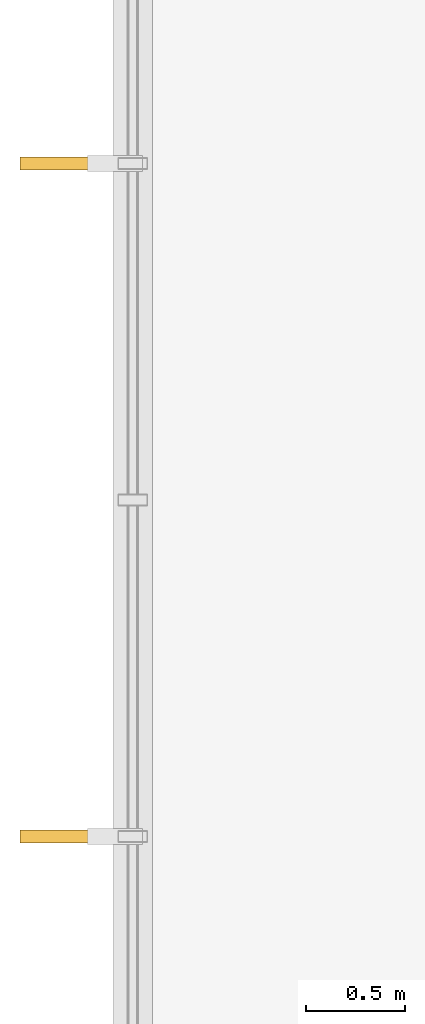
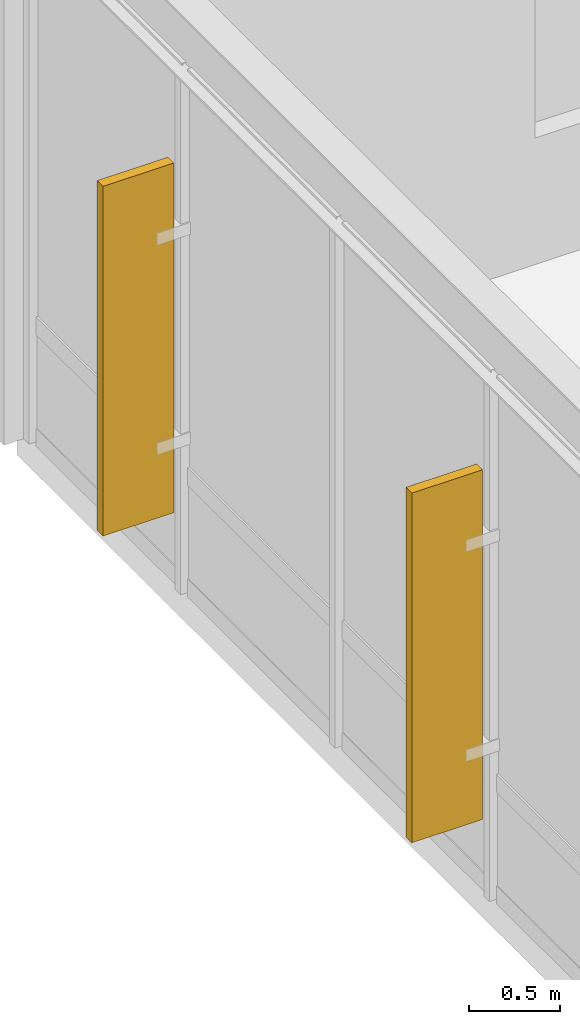
# One storey, part 104 of 106: 2 shading devices.
"""IFC4 building model written with IfcOpenShell, lengths in metres."""

from ifc_helpers import new_model, si_unit, direction, frame, origin, origin_2d, place, context, subcontext, project, spatial, rectangle, extrude, material, type_object, element, save


model = new_model("IFC4")

# Units and contexts
model_context = context("Model", 3, precision=1e-05, world=origin(), true_north=direction((0.0, 1.0)))
body_context = subcontext(model_context, "Body", "Model", "MODEL_VIEW")
ifc_project = project(units=[si_unit("LENGTHUNIT", "METRE"), si_unit("AREAUNIT", "SQUARE_METRE"), si_unit("VOLUMEUNIT", "CUBIC_METRE"), si_unit("PLANEANGLEUNIT", "RADIAN"), si_unit("MASSUNIT", "GRAM", prefix="KILO")], contexts=[model_context])

# Site, building, storey
site_placement = place(None, origin())
site = spatial("IfcSite", under=ifc_project, at=site_placement, CompositionType="ELEMENT")
building_placement = place(site_placement, origin())
building = spatial("IfcBuilding", under=site, at=building_placement, Name="Kazanami Central Library", CompositionType="ELEMENT")
storey_placement = place(building_placement, frame((0.0, 0.0, 12.800048828125)))
storey = spatial("IfcBuildingStorey", under=building, at=storey_placement, Name="L04", CompositionType="ELEMENT", Elevation=12.800048828125)

# Shading devices
ifc_material = material(Name="Anodised Bronze-Grey Aluminium A6063-T5", Category="aluminium")
shading_device_type = type_object("IfcShadingDeviceType", Name="SHD-FIN-3", PredefinedType="USERDEFINED", material=ifc_material)
for number, where, z_axis, x_axis, name in (
    (1, (-0.344970703125, 88.300048828125, 0.56982421875), (0.0, 0.0, 1.0), (0.0, 1.0, 0.0), "Vertical Solar Fin SF-03 L04 W-1-12.1"),
    (2, (-0.344970703125, 91.699951171875, 0.56982421875), (0.0, 0.0, 1.0), (0.0, 1.0, 0.0), "Vertical Solar Fin SF-03 L04 W-1-12.2"),
):
    element("IfcShadingDevice", number, at=place(storey_placement, frame(where, z_axis=z_axis, x_axis=x_axis)), inside=storey, type_object=shading_device_type, Name=name, ObjectType="SOLAR FIN", PredefinedType="USERDEFINED", context=body_context, shape_type="SweptSolid", body=[
        extrude(rectangle(XDim=0.06494140625, YDim=0.449951171875, at=origin_2d()), origin(), (0.0, 0.0, 1.0), 2.35009765625),
    ])

save(model, "model.ifc")
